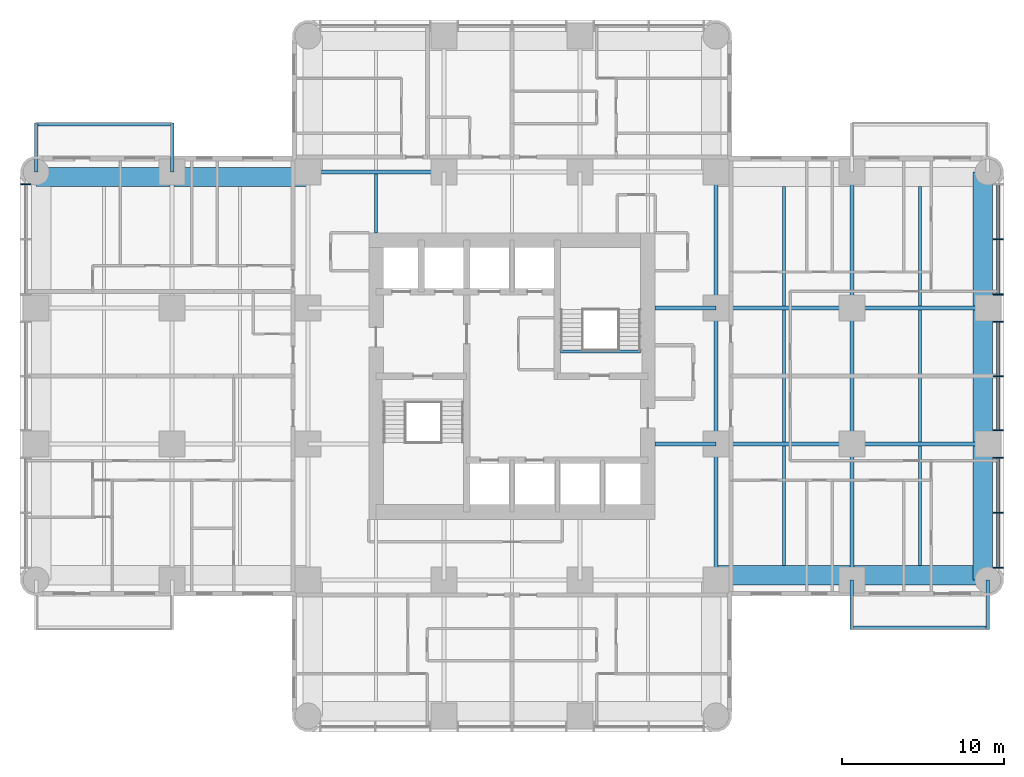
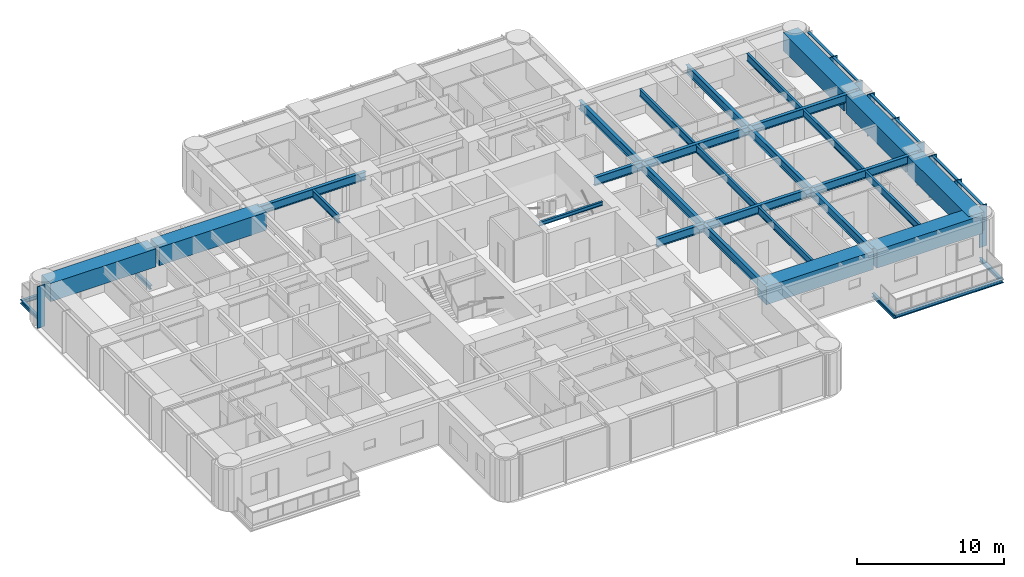
# One storey, part 3 of 14: 34 beams, 15 members, 2 elements without a shape of their own.
"""IFC4 building model written with IfcOpenShell, lengths in metres."""

from ifc_helpers import new_model, si_unit, direction, frame, origin, origin_2d, place, context, subcontext, project, spatial, rectangle, i_section, extrude, material, material_profile, profile_set, type_object, element, aggregate, save


model = new_model("IFC4")

# Units and contexts
model_context = context("Model", 3, precision=1e-05, world=origin(), true_north=direction((0.0, 1.0)))
body_context = subcontext(model_context, "Body", "Model", "MODEL_VIEW")
ifc_project = project(units=[si_unit("LENGTHUNIT", "METRE"), si_unit("AREAUNIT", "SQUARE_METRE"), si_unit("VOLUMEUNIT", "CUBIC_METRE"), si_unit("PLANEANGLEUNIT", "RADIAN"), si_unit("MASSUNIT", "GRAM", prefix="KILO")], contexts=[model_context])

# Site, building, storey
site_placement = place(None, origin())
site = spatial("IfcSite", under=ifc_project, at=site_placement, CompositionType="ELEMENT")
building_placement = place(site_placement, origin())
building = spatial("IfcBuilding", under=site, at=building_placement, Name="Torre Alcanfor", CompositionType="ELEMENT")
storey_placement = place(building_placement, frame((0.0, 0.0, 130.5)))
storey = spatial("IfcBuildingStorey", under=building, at=storey_placement, Name="L33", CompositionType="ELEMENT", Elevation=130.5)

# Beams
ifc_material_1 = material(Name="Steel ASTM A992 Grade 50", Category="steel")
ifc_material_profile_1 = material_profile(ifc_material_1, i_section(OverallWidth=0.205322265625, OverallDepth=0.309814453125, WebThickness=0.00927734375, FlangeThickness=0.016357421875, at=origin_2d()), Name="W12x50")
ifc_profile_set_1 = profile_set([ifc_material_profile_1], Name="Steel ASTM A992 Grade 50")
beam_type_1 = type_object("IfcBeamType", Name="Balcony cantilever beam W12x50", PredefinedType="BEAM", material=ifc_profile_set_1)
for number, where, z_axis, x_axis, name in (
    (1, (50.39990234375, 16.800048828125, -0.35498046875), (0.0, -1.0, 0.0), (1.0, 0.0, 0.0), "Balcony cantilever beam L33-E2 1"),
    (2, (58.800048828125, 16.800048828125, -0.35498046875), (0.0, -1.0, 0.0), (1.0, 0.0, 0.0), "Balcony cantilever beam L33-E2 2"),
    (3, (8.39990234375, 42.0, -0.35498046875), (0.0, 1.0, 0.0), (-1.0, 0.0, 0.0), "Balcony cantilever beam L33-W2 1"),
    (4, (0.0, 42.0, -0.35498046875), (0.0, 1.0, 0.0), (-1.0, 0.0, 0.0), "Balcony cantilever beam L33-W2 2"),
):
    element("IfcBeam", number, at=place(storey_placement, frame(where, z_axis=z_axis, x_axis=x_axis)), inside=storey, type_object=beam_type_1, Name=name, PredefinedType="BEAM", context=body_context, shape_type="SweptSolid", body=[
        extrude(i_section(OverallWidth=0.205322265625, OverallDepth=0.309814453125, WebThickness=0.00927734375, FlangeThickness=0.016357421875, at=origin_2d()), origin(), (0.0, 0.0, 1.0), 3.050048828125),
    ])
ifc_material_2 = material(Name="Steel ASTM A992 Grade 50", Category="steel")
ifc_material_profile_2 = material_profile(ifc_material_2, i_section(OverallWidth=0.203369140625, OverallDepth=0.30224609375, WebThickness=0.007568359375, FlangeThickness=0.01318359375, at=origin_2d()), Name="W12x40")
ifc_profile_set_2 = profile_set([ifc_material_profile_2], Name="Steel ASTM A992 Grade 50")
beam_type_2 = type_object("IfcBeamType", Name="Balcony edge trimmer W12x40", PredefinedType="BEAM", material=ifc_profile_set_2)
beam_1_placement = place(storey_placement, frame((50.39990234375, 13.851806640625, -0.35107421875), z_axis=(1.0, 0.0, 0.0), x_axis=(0.0, 1.0, 0.0)))
element("IfcBeam", 5, at=beam_1_placement, inside=storey, type_object=beam_type_2, Name="Balcony edge trimmer L33-E2", PredefinedType="BEAM", context=body_context, shape_type="SweptSolid", body=[
    extrude(i_section(OverallWidth=0.203369140625, OverallDepth=0.30224609375, WebThickness=0.007568359375, FlangeThickness=0.01318359375, at=origin_2d()), origin(), (0.0, 0.0, 1.0), 8.400146484375),
])
beam_2_placement = place(storey_placement, frame((8.39990234375, 44.9482421875, -0.35107421875), z_axis=(-1.0, 0.0, 0.0), x_axis=(0.0, -1.0, 0.0)))
element("IfcBeam", 6, at=beam_2_placement, inside=storey, type_object=beam_type_2, Name="Balcony edge trimmer L33-W2", PredefinedType="BEAM", context=body_context, shape_type="SweptSolid", body=[
    extrude(i_section(OverallWidth=0.203369140625, OverallDepth=0.30224609375, WebThickness=0.007568359375, FlangeThickness=0.01318359375, at=origin_2d()), origin(), (0.0, 0.0, 1.0), 8.39990234375),
])

# Curtain wall, member
ifc_material_3 = material(Name="Aluminium and glass", Category="aluminium")
curtain_wall_type = type_object("IfcCurtainWallType", Name="CW-A unitised apartment glazing with vertical FIN", PredefinedType="NOTDEFINED", material=ifc_material_3)
curtain_wall_1_placement = place(storey_placement, origin())
curtain_wall_1 = element("IfcCurtainWall", 7, at=curtain_wall_1_placement, inside=storey, type_object=curtain_wall_type, Name="Curtain wall CW-A L33 2", PredefinedType="NOTDEFINED")
ifc_material_4 = material(Name="Bronze anodised aluminium", Category="aluminium")
ifc_material_profile_3 = material_profile(ifc_material_4, rectangle(XDim=0.60009765625, YDim=0.06494140625, at=origin_2d()), Name="CW-A mullion 65x600")
ifc_profile_set_3 = profile_set([ifc_material_profile_3], Name="Bronze anodised aluminium")
member_type_1 = type_object("IfcMemberType", Name="CW-A mullion with vertical FIN 65x600", PredefinedType="MULLION", material=ifc_profile_set_3)
member_1_placement = place(storey_placement, frame((-0.64990234375, 41.24267578125, 0.0), z_axis=(0.0, 0.0, 1.0), x_axis=(1.0, 0.0, 0.0)))
member_1 = element("IfcMember", 8, at=member_1_placement, type_object=member_type_1, Name="CW-A mullion 1.1", PredefinedType="MULLION", context=body_context, shape_type="SweptSolid", body=[
    extrude(rectangle(XDim=0.60009765625, YDim=0.06494140625, at=origin_2d()), origin(), (0.0, 0.0, 1.0), 3.449951171875),
])
aggregate(curtain_wall_1, [member_1])

# Curtain wall, members
curtain_wall_2_placement = place(storey_placement, origin())
curtain_wall_2 = element("IfcCurtainWall", 9, at=curtain_wall_2_placement, inside=storey, type_object=curtain_wall_type, Name="Curtain wall CW-A L33 8", PredefinedType="NOTDEFINED")
member_2_placement = place(storey_placement, frame((59.449951171875, 17.557373046875, 0.0), z_axis=(0.0, 0.0, 1.0), x_axis=(-1.0, 0.0, 0.0)))
member_2 = element("IfcMember", 10, at=member_2_placement, type_object=member_type_1, Name="CW-A mullion 1.1", PredefinedType="MULLION", context=body_context, shape_type="SweptSolid", body=[
    extrude(rectangle(XDim=0.60009765625, YDim=0.06494140625, at=origin_2d()), origin(), (0.0, 0.0, 1.0), 3.449951171875),
])
member_3_placement = place(storey_placement, frame((59.449951171875, 20.9599609375, 0.0), z_axis=(0.0, 0.0, 1.0), x_axis=(-1.0, 0.0, 0.0)))
member_3 = element("IfcMember", 11, at=member_3_placement, type_object=member_type_1, Name="CW-A mullion 1.2", PredefinedType="MULLION", context=body_context, shape_type="SweptSolid", body=[
    extrude(rectangle(XDim=0.60009765625, YDim=0.06494140625, at=origin_2d()), origin(), (0.0, 0.0, 1.0), 3.449951171875),
])
member_4_placement = place(storey_placement, frame((59.449951171875, 24.362548828125, 0.0), z_axis=(0.0, 0.0, 1.0), x_axis=(-1.0, 0.0, 0.0)))
member_4 = element("IfcMember", 12, at=member_4_placement, type_object=member_type_1, Name="CW-A mullion 1.3", PredefinedType="MULLION", context=body_context, shape_type="SweptSolid", body=[
    extrude(rectangle(XDim=0.60009765625, YDim=0.06494140625, at=origin_2d()), origin(), (0.0, 0.0, 1.0), 3.449951171875),
])
member_5_placement = place(storey_placement, frame((59.449951171875, 26.03759765625, 0.0), z_axis=(0.0, 0.0, 1.0), x_axis=(-1.0, 0.0, 0.0)))
member_5 = element("IfcMember", 13, at=member_5_placement, type_object=member_type_1, Name="CW-A mullion 2.1", PredefinedType="MULLION", context=body_context, shape_type="SweptSolid", body=[
    extrude(rectangle(XDim=0.60009765625, YDim=0.06494140625, at=origin_2d()), origin(), (0.0, 0.0, 1.0), 3.449951171875),
])
member_6_placement = place(storey_placement, frame((59.449951171875, 29.39990234375, 0.0), z_axis=(0.0, 0.0, 1.0), x_axis=(-1.0, 0.0, 0.0)))
member_6 = element("IfcMember", 14, at=member_6_placement, type_object=member_type_1, Name="CW-A mullion 2.2", PredefinedType="MULLION", context=body_context, shape_type="SweptSolid", body=[
    extrude(rectangle(XDim=0.60009765625, YDim=0.06494140625, at=origin_2d()), origin(), (0.0, 0.0, 1.0), 3.449951171875),
])
member_7_placement = place(storey_placement, frame((59.449951171875, 32.762451171875, 0.0), z_axis=(0.0, 0.0, 1.0), x_axis=(-1.0, 0.0, 0.0)))
member_7 = element("IfcMember", 15, at=member_7_placement, type_object=member_type_1, Name="CW-A mullion 2.3", PredefinedType="MULLION", context=body_context, shape_type="SweptSolid", body=[
    extrude(rectangle(XDim=0.60009765625, YDim=0.06494140625, at=origin_2d()), origin(), (0.0, 0.0, 1.0), 3.449951171875),
])
member_8_placement = place(storey_placement, frame((59.449951171875, 34.4375, 0.0), z_axis=(0.0, 0.0, 1.0), x_axis=(-1.0, 0.0, 0.0)))
member_8 = element("IfcMember", 16, at=member_8_placement, type_object=member_type_1, Name="CW-A mullion 3.1", PredefinedType="MULLION", context=body_context, shape_type="SweptSolid", body=[
    extrude(rectangle(XDim=0.60009765625, YDim=0.06494140625, at=origin_2d()), origin(), (0.0, 0.0, 1.0), 3.449951171875),
])
member_9_placement = place(storey_placement, frame((59.449951171875, 37.840087890625, 0.0), z_axis=(0.0, 0.0, 1.0), x_axis=(-1.0, 0.0, 0.0)))
member_9 = element("IfcMember", 17, at=member_9_placement, type_object=member_type_1, Name="CW-A mullion 3.2", PredefinedType="MULLION", context=body_context, shape_type="SweptSolid", body=[
    extrude(rectangle(XDim=0.60009765625, YDim=0.06494140625, at=origin_2d()), origin(), (0.0, 0.0, 1.0), 3.449951171875),
])
ifc_material_5 = material(Name="Extruded aluminium", Category="aluminium")
ifc_material_profile_4 = material_profile(ifc_material_5, rectangle(XDim=0.199951171875, YDim=0.06494140625, at=origin_2d()), Name="CW-A transom 200x65")
ifc_profile_set_4 = profile_set([ifc_material_profile_4], Name="Extruded aluminium")
member_type_2 = type_object("IfcMemberType", Name="CW-A transom 65x200", PredefinedType="USERDEFINED", material=ifc_profile_set_4)
member_10_placement = place(storey_placement, frame((59.449951171875, 17.58984375, 3.41748046875), z_axis=(0.0, 1.0, 0.0), x_axis=(-1.0, 0.0, 0.0)))
member_10 = element("IfcMember", 18, at=member_10_placement, type_object=member_type_2, Name="CW-A transom 1.1.2", ObjectType="TRANSOM", PredefinedType="USERDEFINED", context=body_context, shape_type="SweptSolid", body=[
    extrude(rectangle(XDim=0.199951171875, YDim=0.06494140625, at=origin_2d()), origin(), (0.0, 0.0, 1.0), 3.337646484375),
])
member_11_placement = place(storey_placement, frame((59.449951171875, 20.992431640625, 3.41748046875), z_axis=(0.0, 1.0, 0.0), x_axis=(-1.0, 0.0, 0.0)))
member_11 = element("IfcMember", 19, at=member_11_placement, type_object=member_type_2, Name="CW-A transom 1.2.2", ObjectType="TRANSOM", PredefinedType="USERDEFINED", context=body_context, shape_type="SweptSolid", body=[
    extrude(rectangle(XDim=0.199951171875, YDim=0.06494140625, at=origin_2d()), origin(), (0.0, 0.0, 1.0), 3.337646484375),
])
member_12_placement = place(storey_placement, frame((59.449951171875, 26.070068359375, 3.41748046875), z_axis=(0.0, 1.0, 0.0), x_axis=(-1.0, 0.0, 0.0)))
member_12 = element("IfcMember", 20, at=member_12_placement, type_object=member_type_2, Name="CW-A transom 2.1.2", ObjectType="TRANSOM", PredefinedType="USERDEFINED", context=body_context, shape_type="SweptSolid", body=[
    extrude(rectangle(XDim=0.199951171875, YDim=0.06494140625, at=origin_2d()), origin(), (0.0, 0.0, 1.0), 3.29736328125),
])
member_13_placement = place(storey_placement, frame((59.449951171875, 29.4326171875, 3.41748046875), z_axis=(0.0, 1.0, 0.0), x_axis=(-1.0, 0.0, 0.0)))
member_13 = element("IfcMember", 21, at=member_13_placement, type_object=member_type_2, Name="CW-A transom 2.2.2", ObjectType="TRANSOM", PredefinedType="USERDEFINED", context=body_context, shape_type="SweptSolid", body=[
    extrude(rectangle(XDim=0.199951171875, YDim=0.06494140625, at=origin_2d()), origin(), (0.0, 0.0, 1.0), 3.29736328125),
])
member_14_placement = place(storey_placement, frame((59.449951171875, 34.469970703125, 3.41748046875), z_axis=(0.0, 1.0, 0.0), x_axis=(-1.0, 0.0, 0.0)))
member_14 = element("IfcMember", 22, at=member_14_placement, type_object=member_type_2, Name="CW-A transom 3.1.2", ObjectType="TRANSOM", PredefinedType="USERDEFINED", context=body_context, shape_type="SweptSolid", body=[
    extrude(rectangle(XDim=0.199951171875, YDim=0.06494140625, at=origin_2d()), origin(), (0.0, 0.0, 1.0), 3.337646484375),
])
member_15_placement = place(storey_placement, frame((59.449951171875, 37.87255859375, 3.41748046875), z_axis=(0.0, 1.0, 0.0), x_axis=(-1.0, 0.0, 0.0)))
member_15 = element("IfcMember", 23, at=member_15_placement, type_object=member_type_2, Name="CW-A transom 3.2.2", ObjectType="TRANSOM", PredefinedType="USERDEFINED", context=body_context, shape_type="SweptSolid", body=[
    extrude(rectangle(XDim=0.199951171875, YDim=0.06494140625, at=origin_2d()), origin(), (0.0, 0.0, 1.0), 3.337646484375),
])
aggregate(curtain_wall_2, [member_2, member_3, member_4, member_10, member_11, member_5, member_6, member_7, member_12, member_13, member_8, member_9, member_14, member_15])

# Beams
ifc_material_6 = material(Name="Steel ASTM A992 Grade 50", Category="steel")
ifc_material_profile_5 = material_profile(ifc_material_6, i_section(OverallWidth=0.25390625, OverallDepth=0.683349609375, WebThickness=0.012451171875, FlangeThickness=0.01904296875, at=origin_2d()), Name="W27x94")
ifc_profile_set_5 = profile_set([ifc_material_profile_5], Name="Steel ASTM A992 Grade 50")
beam_type_3 = type_object("IfcBeamType", Name="Girder W27x94", PredefinedType="BEAM", material=ifc_profile_set_5)
beam_3_placement = place(storey_placement, frame((42.0, 25.199951171875, 3.1083984375), z_axis=(1.0, 0.0, 0.0), x_axis=(0.0, 1.0, 0.0)))
element("IfcBeam", 24, at=beam_3_placement, inside=storey, type_object=beam_type_3, Name="Beam 6F-7F under L34", PredefinedType="BEAM", context=body_context, shape_type="SweptSolid", body=[
    extrude(i_section(OverallWidth=0.25390625, OverallDepth=0.683349609375, WebThickness=0.012451171875, FlangeThickness=0.01904296875, at=origin_2d()), origin(), (0.0, 0.0, 1.0), 8.39990234375),
])
beam_4_placement = place(storey_placement, frame((50.39990234375, 25.199951171875, 3.1083984375), z_axis=(1.0, 0.0, 0.0), x_axis=(0.0, 1.0, 0.0)))
element("IfcBeam", 25, at=beam_4_placement, inside=storey, type_object=beam_type_3, Name="Beam 7F-8F under L34", PredefinedType="BEAM", context=body_context, shape_type="SweptSolid", body=[
    extrude(i_section(OverallWidth=0.25390625, OverallDepth=0.683349609375, WebThickness=0.012451171875, FlangeThickness=0.01904296875, at=origin_2d()), origin(), (0.0, 0.0, 1.0), 8.400146484375),
])
beam_5_placement = place(storey_placement, frame((42.0, 33.60009765625, 3.1083984375), z_axis=(1.0, 0.0, 0.0), x_axis=(0.0, 1.0, 0.0)))
element("IfcBeam", 26, at=beam_5_placement, inside=storey, type_object=beam_type_3, Name="Beam 6G-7G under L34", PredefinedType="BEAM", context=body_context, shape_type="SweptSolid", body=[
    extrude(i_section(OverallWidth=0.25390625, OverallDepth=0.683349609375, WebThickness=0.012451171875, FlangeThickness=0.01904296875, at=origin_2d()), origin(), (0.0, 0.0, 1.0), 8.39990234375),
])
beam_6_placement = place(storey_placement, frame((50.39990234375, 33.60009765625, 3.1083984375), z_axis=(1.0, 0.0, 0.0), x_axis=(0.0, 1.0, 0.0)))
element("IfcBeam", 27, at=beam_6_placement, inside=storey, type_object=beam_type_3, Name="Beam 7G-8G under L34", PredefinedType="BEAM", context=body_context, shape_type="SweptSolid", body=[
    extrude(i_section(OverallWidth=0.25390625, OverallDepth=0.683349609375, WebThickness=0.012451171875, FlangeThickness=0.01904296875, at=origin_2d()), origin(), (0.0, 0.0, 1.0), 8.400146484375),
])
for number, where, z_axis, x_axis, name in (
    (28, (16.800048828125, 42.0, 3.1083984375), (1.0, 0.0, 0.0), (0.0, 1.0, 0.0), "Beam 3H-4H under L34"),
    (29, (42.0, 16.800048828125, 3.1083984375), (0.0, 1.0, 0.0), (-1.0, 0.0, 0.0), "Beam 6E-6F under L34"),
):
    element("IfcBeam", number, at=place(storey_placement, frame(where, z_axis=z_axis, x_axis=x_axis)), inside=storey, type_object=beam_type_3, Name=name, PredefinedType="BEAM", context=body_context, shape_type="SweptSolid", body=[
        extrude(i_section(OverallWidth=0.25390625, OverallDepth=0.683349609375, WebThickness=0.012451171875, FlangeThickness=0.01904296875, at=origin_2d()), origin(), (0.0, 0.0, 1.0), 8.39990234375),
    ])
beam_7_placement = place(storey_placement, frame((42.0, 25.199951171875, 3.1083984375), z_axis=(0.0, 1.0, 0.0), x_axis=(-1.0, 0.0, 0.0)))
element("IfcBeam", 30, at=beam_7_placement, inside=storey, type_object=beam_type_3, Name="Beam 6F-6G under L34", PredefinedType="BEAM", context=body_context, shape_type="SweptSolid", body=[
    extrude(i_section(OverallWidth=0.25390625, OverallDepth=0.683349609375, WebThickness=0.012451171875, FlangeThickness=0.01904296875, at=origin_2d()), origin(), (0.0, 0.0, 1.0), 8.400146484375),
])
for number, where, z_axis, x_axis, name in (
    (31, (42.0, 33.60009765625, 3.1083984375), (0.0, 1.0, 0.0), (-1.0, 0.0, 0.0), "Beam 6G-6H under L34"),
    (32, (50.39990234375, 16.800048828125, 3.1083984375), (0.0, 1.0, 0.0), (-1.0, 0.0, 0.0), "Beam 7E-7F under L34"),
):
    element("IfcBeam", number, at=place(storey_placement, frame(where, z_axis=z_axis, x_axis=x_axis)), inside=storey, type_object=beam_type_3, Name=name, PredefinedType="BEAM", context=body_context, shape_type="SweptSolid", body=[
        extrude(i_section(OverallWidth=0.25390625, OverallDepth=0.683349609375, WebThickness=0.012451171875, FlangeThickness=0.01904296875, at=origin_2d()), origin(), (0.0, 0.0, 1.0), 8.39990234375),
    ])
beam_8_placement = place(storey_placement, frame((50.39990234375, 25.199951171875, 3.1083984375), z_axis=(0.0, 1.0, 0.0), x_axis=(-1.0, 0.0, 0.0)))
element("IfcBeam", 33, at=beam_8_placement, inside=storey, type_object=beam_type_3, Name="Beam 7F-7G under L34", PredefinedType="BEAM", context=body_context, shape_type="SweptSolid", body=[
    extrude(i_section(OverallWidth=0.25390625, OverallDepth=0.683349609375, WebThickness=0.012451171875, FlangeThickness=0.01904296875, at=origin_2d()), origin(), (0.0, 0.0, 1.0), 8.400146484375),
])
beam_9_placement = place(storey_placement, frame((50.39990234375, 33.60009765625, 3.1083984375), z_axis=(0.0, 1.0, 0.0), x_axis=(-1.0, 0.0, 0.0)))
element("IfcBeam", 34, at=beam_9_placement, inside=storey, type_object=beam_type_3, Name="Beam 7G-7H under L34", PredefinedType="BEAM", context=body_context, shape_type="SweptSolid", body=[
    extrude(i_section(OverallWidth=0.25390625, OverallDepth=0.683349609375, WebThickness=0.012451171875, FlangeThickness=0.01904296875, at=origin_2d()), origin(), (0.0, 0.0, 1.0), 8.39990234375),
])
ifc_material_7 = material(Name="Steel ASTM A992 Grade 50", Category="steel")
ifc_material_profile_6 = material_profile(ifc_material_7, i_section(OverallWidth=0.25390625, OverallDepth=0.683349609375, WebThickness=0.012451171875, FlangeThickness=0.01904296875, at=origin_2d()), Name="W27x94")
ifc_profile_set_6 = profile_set([ifc_material_profile_6], Name="Steel ASTM A992 Grade 50")
beam_type_4 = type_object("IfcBeamType", Name="Girder, part bay W27x94", PredefinedType="BEAM", material=ifc_profile_set_6)
for number, where, z_axis, x_axis, name in (
    (35, (42.0, 25.199951171875, 3.1083984375), (-1.0, 0.0, 0.0), (0.0, -1.0, 0.0), "Beam 6F-38_25F under L34"),
    (36, (42.0, 33.60009765625, 3.1083984375), (-1.0, 0.0, 0.0), (0.0, -1.0, 0.0), "Beam 6G-38_25G under L34"),
):
    element("IfcBeam", number, at=place(storey_placement, frame(where, z_axis=z_axis, x_axis=x_axis)), inside=storey, type_object=beam_type_4, Name=name, PredefinedType="BEAM", context=body_context, shape_type="SweptSolid", body=[
        extrude(i_section(OverallWidth=0.25390625, OverallDepth=0.683349609375, WebThickness=0.012451171875, FlangeThickness=0.01904296875, at=origin_2d()), origin(), (0.0, 0.0, 1.0), 3.75),
    ])
ifc_material_8 = material(Name="Concrete f'c 70 MPa", Category="concrete")
ifc_material_profile_7 = material_profile(ifc_material_8, rectangle(XDim=1.199951171875, YDim=1.5, at=origin_2d()), Name="1200x1500")
ifc_profile_set_7 = profile_set([ifc_material_profile_7], Name="Concrete f'c 70 MPa")
beam_type_5 = type_object("IfcBeamType", Name="RC perimeter beam 1200x1500", PredefinedType="BEAM", material=ifc_profile_set_7)
beam_10_placement = place(storey_placement, frame((41.873046875, 17.10009765625, 2.699951171875), z_axis=(1.0, 0.0, 0.0), x_axis=(0.0, 1.0, 0.0)))
element("IfcBeam", 37, at=beam_10_placement, inside=storey, type_object=beam_type_5, Name="Beam 6E-7E under L34", PredefinedType="BEAM", context=body_context, shape_type="SweptSolid", body=[
    extrude(rectangle(XDim=1.199951171875, YDim=1.5, at=origin_2d()), origin(), (0.0, 0.0, 1.0), 8.39990234375),
])
for number, where, z_axis, x_axis, name in (
    (38, (50.527099609375, 17.10009765625, 2.699951171875), (1.0, 0.0, 0.0), (0.0, 1.0, 0.0), "Beam 7E-8E under L34"),
    (39, (0.0, 41.699951171875, 2.699951171875), (1.0, 0.0, 0.0), (0.0, 1.0, 0.0), "Beam 1H-2H under L34"),
):
    element("IfcBeam", number, at=place(storey_placement, frame(where, z_axis=z_axis, x_axis=x_axis)), inside=storey, type_object=beam_type_5, Name=name, PredefinedType="BEAM", context=body_context, shape_type="SweptSolid", body=[
        extrude(rectangle(XDim=1.199951171875, YDim=1.5, at=origin_2d()), origin(), (0.0, 0.0, 1.0), 8.27294921875),
    ])
beam_11_placement = place(storey_placement, frame((8.527099609375, 41.699951171875, 2.699951171875), z_axis=(1.0, 0.0, 0.0), x_axis=(0.0, 1.0, 0.0)))
element("IfcBeam", 40, at=beam_11_placement, inside=storey, type_object=beam_type_5, Name="Beam 2H-3H under L34", PredefinedType="BEAM", context=body_context, shape_type="SweptSolid", body=[
    extrude(rectangle(XDim=1.199951171875, YDim=1.5, at=origin_2d()), origin(), (0.0, 0.0, 1.0), 8.39990234375),
])
beam_12_placement = place(storey_placement, frame((58.5, 16.800048828125, 2.699951171875), z_axis=(0.0, 1.0, 0.0), x_axis=(-1.0, 0.0, 0.0)))
element("IfcBeam", 41, at=beam_12_placement, inside=storey, type_object=beam_type_5, Name="Beam 8E-8F under L34", PredefinedType="BEAM", context=body_context, shape_type="SweptSolid", body=[
    extrude(rectangle(XDim=1.199951171875, YDim=1.5, at=origin_2d()), origin(), (0.0, 0.0, 1.0), 8.27294921875),
])
beam_13_placement = place(storey_placement, frame((58.5, 25.326904296875, 2.699951171875), z_axis=(0.0, 1.0, 0.0), x_axis=(-1.0, 0.0, 0.0)))
element("IfcBeam", 42, at=beam_13_placement, inside=storey, type_object=beam_type_5, Name="Beam 8F-8G under L34", PredefinedType="BEAM", context=body_context, shape_type="SweptSolid", body=[
    extrude(rectangle(XDim=1.199951171875, YDim=1.5, at=origin_2d()), origin(), (0.0, 0.0, 1.0), 8.14599609375),
])
beam_14_placement = place(storey_placement, frame((58.5, 33.72705078125, 2.699951171875), z_axis=(0.0, 1.0, 0.0), x_axis=(-1.0, 0.0, 0.0)))
element("IfcBeam", 43, at=beam_14_placement, inside=storey, type_object=beam_type_5, Name="Beam 8G-8H under L34", PredefinedType="BEAM", context=body_context, shape_type="SweptSolid", body=[
    extrude(rectangle(XDim=1.199951171875, YDim=1.5, at=origin_2d()), origin(), (0.0, 0.0, 1.0), 8.27294921875),
])
ifc_material_9 = material(Name="Steel ASTM A992 Grade 50", Category="steel")
ifc_material_profile_8 = material_profile(ifc_material_9, i_section(OverallWidth=0.1787109375, OverallDepth=0.60205078125, WebThickness=0.010986328125, FlangeThickness=0.014892578125, at=origin_2d()), Name="W24x62")
ifc_profile_set_8 = profile_set([ifc_material_profile_8], Name="Steel ASTM A992 Grade 50")
beam_type_6 = type_object("IfcBeamType", Name="Secondary beam W24x62", PredefinedType="BEAM", material=ifc_profile_set_8)
beam_15_placement = place(storey_placement, frame((46.199951171875, 17.699951171875, 3.14892578125), z_axis=(0.0, 1.0, 0.0), x_axis=(-1.0, 0.0, 0.0)))
element("IfcBeam", 44, at=beam_15_placement, inside=storey, type_object=beam_type_6, Name="Beam 46_2E-46_2F under L34", PredefinedType="BEAM", context=body_context, shape_type="SweptSolid", body=[
    extrude(i_section(OverallWidth=0.1787109375, OverallDepth=0.60205078125, WebThickness=0.010986328125, FlangeThickness=0.014892578125, at=origin_2d()), origin(), (0.0, 0.0, 1.0), 7.373046875),
])
beam_16_placement = place(storey_placement, frame((46.199951171875, 25.326904296875, 3.14892578125), z_axis=(0.0, 1.0, 0.0), x_axis=(-1.0, 0.0, 0.0)))
element("IfcBeam", 45, at=beam_16_placement, inside=storey, type_object=beam_type_6, Name="Beam 46_2F-46_2G under L34", PredefinedType="BEAM", context=body_context, shape_type="SweptSolid", body=[
    extrude(i_section(OverallWidth=0.1787109375, OverallDepth=0.60205078125, WebThickness=0.010986328125, FlangeThickness=0.014892578125, at=origin_2d()), origin(), (0.0, 0.0, 1.0), 8.14599609375),
])
for number, where, z_axis, x_axis, name in (
    (46, (46.199951171875, 33.72705078125, 3.14892578125), (0.0, 1.0, 0.0), (-1.0, 0.0, 0.0), "Beam 46_2G-46_2H under L34"),
    (47, (54.60009765625, 17.699951171875, 3.14892578125), (0.0, 1.0, 0.0), (-1.0, 0.0, 0.0), "Beam 54_6E-54_6F under L34"),
):
    element("IfcBeam", number, at=place(storey_placement, frame(where, z_axis=z_axis, x_axis=x_axis)), inside=storey, type_object=beam_type_6, Name=name, PredefinedType="BEAM", context=body_context, shape_type="SweptSolid", body=[
        extrude(i_section(OverallWidth=0.1787109375, OverallDepth=0.60205078125, WebThickness=0.010986328125, FlangeThickness=0.014892578125, at=origin_2d()), origin(), (0.0, 0.0, 1.0), 7.373046875),
    ])
beam_17_placement = place(storey_placement, frame((54.60009765625, 25.326904296875, 3.14892578125), z_axis=(0.0, 1.0, 0.0), x_axis=(-1.0, 0.0, 0.0)))
element("IfcBeam", 48, at=beam_17_placement, inside=storey, type_object=beam_type_6, Name="Beam 54_6F-54_6G under L34", PredefinedType="BEAM", context=body_context, shape_type="SweptSolid", body=[
    extrude(i_section(OverallWidth=0.1787109375, OverallDepth=0.60205078125, WebThickness=0.010986328125, FlangeThickness=0.014892578125, at=origin_2d()), origin(), (0.0, 0.0, 1.0), 8.14599609375),
])
beam_18_placement = place(storey_placement, frame((54.60009765625, 33.72705078125, 3.14892578125), z_axis=(0.0, 1.0, 0.0), x_axis=(-1.0, 0.0, 0.0)))
element("IfcBeam", 49, at=beam_18_placement, inside=storey, type_object=beam_type_6, Name="Beam 54_6G-54_6H under L34", PredefinedType="BEAM", context=body_context, shape_type="SweptSolid", body=[
    extrude(i_section(OverallWidth=0.1787109375, OverallDepth=0.60205078125, WebThickness=0.010986328125, FlangeThickness=0.014892578125, at=origin_2d()), origin(), (0.0, 0.0, 1.0), 7.373046875),
])
ifc_material_10 = material(Name="Steel ASTM A992 Grade 50", Category="steel")
ifc_material_profile_9 = material_profile(ifc_material_10, i_section(OverallWidth=0.1787109375, OverallDepth=0.60205078125, WebThickness=0.010986328125, FlangeThickness=0.014892578125, at=origin_2d()), Name="W24x62")
ifc_profile_set_9 = profile_set([ifc_material_profile_9], Name="Steel ASTM A992 Grade 50")
beam_type_7 = type_object("IfcBeamType", Name="Secondary beam, part bay W24x62", PredefinedType="BEAM", material=ifc_profile_set_9)
beam_19_placement = place(storey_placement, frame((21.0, 38.25, 3.14892578125), z_axis=(0.0, 1.0, 0.0), x_axis=(-1.0, 0.0, 0.0)))
element("IfcBeam", 50, at=beam_19_placement, inside=storey, type_object=beam_type_7, Name="Beam 2138_25-21H under L34", PredefinedType="BEAM", context=body_context, shape_type="SweptSolid", body=[
    extrude(i_section(OverallWidth=0.1787109375, OverallDepth=0.60205078125, WebThickness=0.010986328125, FlangeThickness=0.014892578125, at=origin_2d()), origin(), (0.0, 0.0, 1.0), 3.623046875),
])
ifc_material_11 = material(Name="Steel ASTM A992 Grade 50", Category="steel")
ifc_material_profile_10 = material_profile(ifc_material_11, i_section(OverallWidth=0.164794921875, OverallDepth=0.309814453125, WebThickness=0.005859375, FlangeThickness=0.009765625, at=origin_2d()), Name="W12x26")
ifc_profile_set_10 = profile_set([ifc_material_profile_10], Name="Steel ASTM A992 Grade 50")
beam_type_8 = type_object("IfcBeamType", Name="Stair landing beam W12x26", PredefinedType="BEAM", material=ifc_profile_set_10)
beam_20_placement = place(storey_placement, frame((32.39990234375, 30.91259765625, 3.2451171875), z_axis=(1.0, 0.0, 0.0), x_axis=(0.0, 1.0, 0.0)))
element("IfcBeam", 51, at=beam_20_placement, inside=storey, type_object=beam_type_8, Name="Landing trimmer S2 L34", PredefinedType="BEAM", context=body_context, shape_type="SweptSolid", body=[
    extrude(i_section(OverallWidth=0.164794921875, OverallDepth=0.309814453125, WebThickness=0.005859375, FlangeThickness=0.009765625, at=origin_2d()), origin(), (0.0, 0.0, 1.0), 4.9501953125),
])

save(model, "model.ifc")
